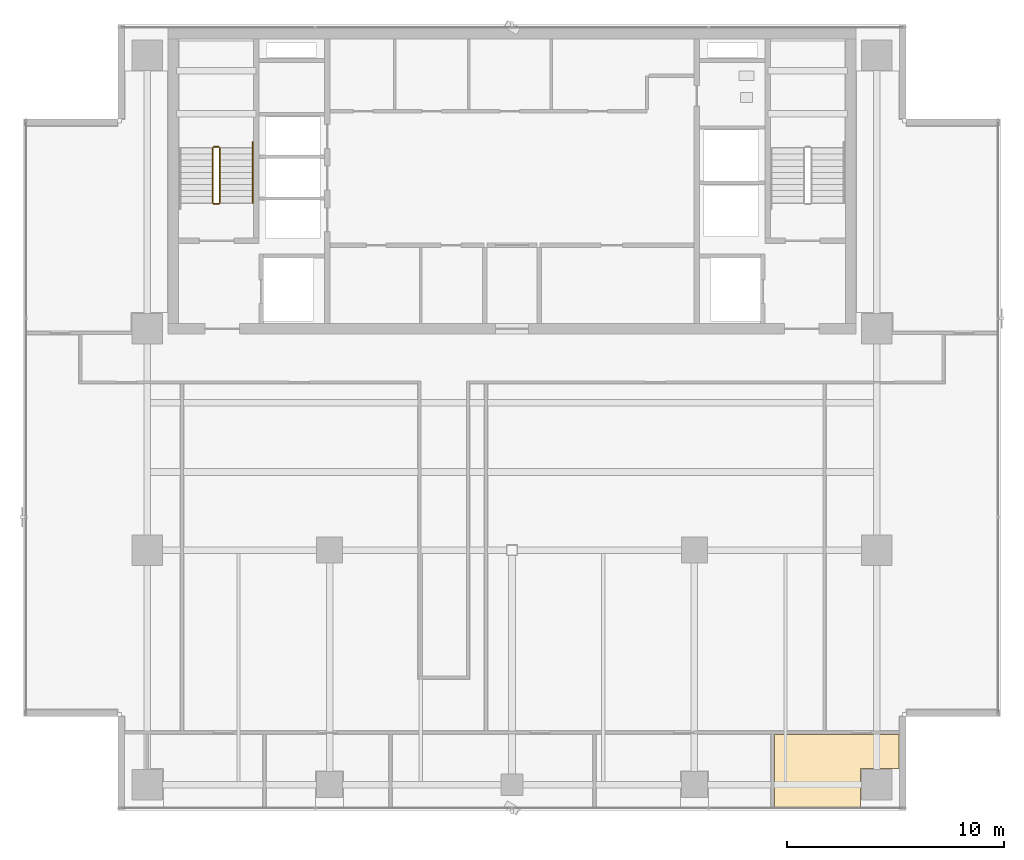
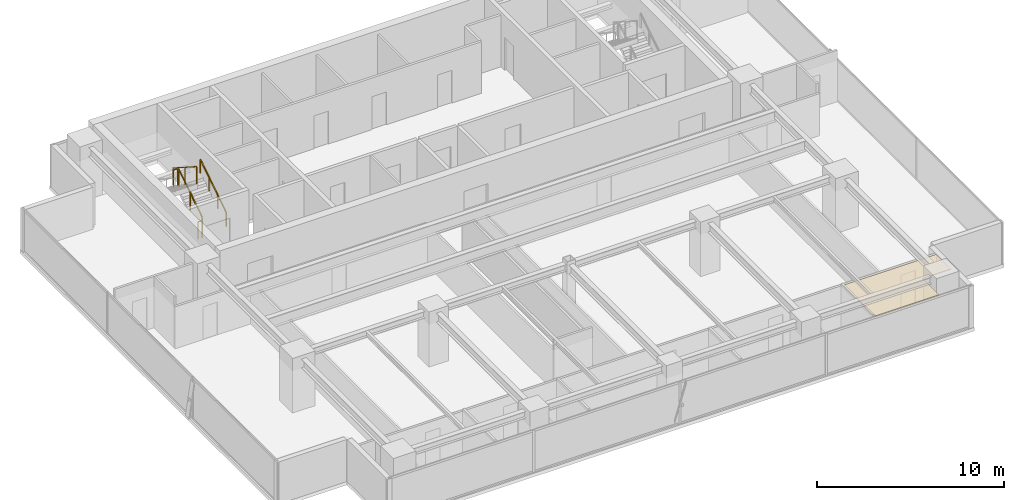
# One storey, part 23 of 25: 5 railings, 1 covering.
"""IFC4 building model written with IfcOpenShell, lengths in metres."""

from ifc_helpers import new_model, si_unit, direction, frame, origin, origin_2d, place, context, subcontext, project, spatial, polyline, rectangle, outline, extrude, material, layer, layer_set, type_object, element, save


model = new_model("IFC4")

# Units and contexts
model_context = context("Model", 3, precision=1e-05, world=origin(), true_north=direction((0.0, 1.0)))
body_context = subcontext(model_context, "Body", "Model", "MODEL_VIEW")
ifc_project = project(units=[si_unit("LENGTHUNIT", "METRE"), si_unit("AREAUNIT", "SQUARE_METRE"), si_unit("VOLUMEUNIT", "CUBIC_METRE"), si_unit("PLANEANGLEUNIT", "RADIAN"), si_unit("MASSUNIT", "GRAM", prefix="KILO")], contexts=[model_context])

# Site, building, storey
site_placement = place(None, origin())
site = spatial("IfcSite", under=ifc_project, at=site_placement, CompositionType="ELEMENT")
building_placement = place(site_placement, origin())
building = spatial("IfcBuilding", under=site, at=building_placement, Name="Sumidabori Civic Tower", CompositionType="ELEMENT")
storey_placement = place(building_placement, frame((0.0, 0.0, 239.60009765625)))
storey = spatial("IfcBuildingStorey", under=building, at=storey_placement, Name="L62", CompositionType="ELEMENT", Elevation=239.60009765625)

# Covering
ifc_material_1 = material(Name="Perforated Timber Acoustic Ceiling", Category="wood")
ifc_layer = layer(ifc_material_1, 0.044921875, Name="Perforated Timber Acoustic Ceiling")
ifc_layer_set = layer_set([ifc_layer], Name="Perforated Timber Acoustic Ceiling")
covering_type = type_object("IfcCoveringType", Name="CV-CEIL-AC2", PredefinedType="CEILING", material=ifc_layer_set)
covering_placement = place(storey_placement, frame((0.0, 0.0, 2.719970703125)))
element("IfcCovering", 1, at=covering_placement, inside=storey, type_object=covering_type, Name="Room Acoustic Ceiling L62-08", PredefinedType="CEILING", context=body_context, shape_type="SweptSolid", body=[
    extrude(outline(polyline([(17.822021484375, -8.487548828125), (17.822021484375, -10.06005859375), (16.06005859375, -10.06005859375), (16.06005859375, -11.830078125), (12.08740234375, -11.830078125), (12.08740234375, -8.487548828125), (17.822021484375, -8.487548828125)])), origin(), (0.0, 0.0, 1.0), 0.044921875),
])

# Railings
ifc_material_2 = material(Name="Stainless Steel Hairline Finish", Category="steel")
railing_type_1 = type_object("IfcRailingType", Name="RL-HANDRAIL", PredefinedType="HANDRAIL", material=ifc_material_2)
railing_1_placement = place(storey_placement, frame((-11.949951171875, 16.0, 0.179931640625)))
element("IfcRailing", 2, at=railing_1_placement, inside=storey, type_object=railing_type_1, Name="L62 ST-1 stair handrail 1", PredefinedType="HANDRAIL", context=body_context, shape_type="SweptSolid", body=[
    extrude(rectangle(XDim=0.048095703125, YDim=0.048095703125, at=origin_2d()), frame((0.0, 0.0, 0.8759765625), z_axis=(0.0, 0.840675598268, 0.541539046124), x_axis=(-1.0, 0.0, 0.0)), (0.0, 0.0, 1.0), 3.330810546875),
    extrude(rectangle(XDim=0.0419921875, YDim=0.0419921875, at=origin_2d()), origin(), (0.0, 0.0, 1.0), 0.851806640625),
    extrude(rectangle(XDim=0.0419921875, YDim=0.0419921875, at=origin_2d()), frame((0.0, 0.933349609375, 0.601318359375)), (0.0, 0.0, 1.0), 0.851806640625),
    extrude(rectangle(XDim=0.0419921875, YDim=0.0419921875, at=origin_2d()), frame((0.0, 1.86669921875, 1.202392578125)), (0.0, 0.0, 1.0), 0.851806640625),
    extrude(rectangle(XDim=0.0419921875, YDim=0.0419921875, at=origin_2d()), frame((0.0, 2.800048828125, 1.8037109375)), (0.0, 0.0, 1.0), 0.851806640625),
])
ifc_material_3 = material(Name="Steel SN490", Category="steel")
railing_type_2 = type_object("IfcRailingType", Name="RL-STAIR-GUARD", PredefinedType="GUARDRAIL", material=ifc_material_3)
railing_2_placement = place(storey_placement, frame((-13.449951171875, 16.0, 0.179931640625)))
element("IfcRailing", 3, at=railing_2_placement, inside=storey, type_object=railing_type_2, Name="L62 ST-1 stair guard 1", PredefinedType="GUARDRAIL", context=body_context, shape_type="SweptSolid", body=[
    extrude(rectangle(XDim=0.048095703125, YDim=0.048095703125, at=origin_2d()), frame((0.0, 0.0, 1.1259765625), z_axis=(0.0, 0.841199657755, 0.540724639528), x_axis=(-1.0, 0.0, 0.0)), (0.0, 0.0, 1.0), 2.995849609375),
    extrude(rectangle(XDim=0.0419921875, YDim=0.0419921875, at=origin_2d()), origin(), (0.0, 0.0, 1.0), 1.101806640625),
    extrude(rectangle(XDim=0.0419921875, YDim=0.0419921875, at=origin_2d()), frame((0.0, 1.260009765625, 0.81005859375)), (0.0, 0.0, 1.0), 1.101806640625),
    extrude(rectangle(XDim=0.0419921875, YDim=0.0419921875, at=origin_2d()), frame((0.0, 2.52001953125, 1.619873046875)), (0.0, 0.0, 1.0), 1.101806640625),
])
railing_3_placement = place(storey_placement, frame((-13.5, 18.570068359375, 1.7998046875)))
element("IfcRailing", 4, at=railing_3_placement, inside=storey, type_object=railing_type_2, Name="L62 ST-1 stair guard 2", PredefinedType="GUARDRAIL", context=body_context, shape_type="SweptSolid", body=[
    extrude(rectangle(XDim=0.048095703125, YDim=0.048095703125, at=origin_2d()), frame((0.0, 0.0, 1.1259765625), z_axis=(-1.0, 0.0, 0.0), x_axis=(0.0, -1.0, 0.0)), (0.0, 0.0, 1.0), 0.239990234375),
    extrude(rectangle(XDim=0.0419921875, YDim=0.0419921875, at=origin_2d()), origin(), (0.0, 0.0, 1.0), 1.101806640625),
    extrude(rectangle(XDim=0.0419921875, YDim=0.0419921875, at=origin_2d()), frame((-0.239990234375, 0.0, 0.0)), (0.0, 0.0, 1.0), 1.101806640625),
])
railing_4_placement = place(storey_placement, frame((-13.7900390625, 18.52001953125, 1.97998046875)))
element("IfcRailing", 5, at=railing_4_placement, inside=storey, type_object=railing_type_2, Name="L62 ST-1 stair guard 3", PredefinedType="GUARDRAIL", context=body_context, shape_type="SweptSolid", body=[
    extrude(rectangle(XDim=0.048095703125, YDim=0.048095703125, at=origin_2d()), frame((0.0, 0.0, 1.1259765625), z_axis=(0.0, -0.841199657755, 0.540724639528), x_axis=(1.0, 0.0, 0.0)), (0.0, 0.0, 1.0), 2.995849609375),
    extrude(rectangle(XDim=0.0419921875, YDim=0.0419921875, at=origin_2d()), origin(), (0.0, 0.0, 1.0), 1.101806640625),
    extrude(rectangle(XDim=0.0419921875, YDim=0.0419921875, at=origin_2d()), frame((0.0, -1.260009765625, 0.81005859375)), (0.0, 0.0, 1.0), 1.101806640625),
    extrude(rectangle(XDim=0.0419921875, YDim=0.0419921875, at=origin_2d()), frame((0.0, -2.52001953125, 1.619873046875)), (0.0, 0.0, 1.0), 1.101806640625),
])
railing_5_placement = place(storey_placement, frame((-13.5, 15.949951171875, 0.0)))
element("IfcRailing", 6, at=railing_5_placement, inside=storey, type_object=railing_type_2, Name="L62 ST-1 stair guard 4", PredefinedType="GUARDRAIL", context=body_context, shape_type="SweptSolid", body=[
    extrude(rectangle(XDim=0.048095703125, YDim=0.048095703125, at=origin_2d()), frame((0.0, 0.0, 1.1259765625), z_axis=(-1.0, 0.0, 0.0), x_axis=(0.0, -1.0, 0.0)), (0.0, 0.0, 1.0), 0.239990234375),
    extrude(rectangle(XDim=0.0419921875, YDim=0.0419921875, at=origin_2d()), origin(), (0.0, 0.0, 1.0), 1.101806640625),
    extrude(rectangle(XDim=0.0419921875, YDim=0.0419921875, at=origin_2d()), frame((-0.239990234375, 0.0, 0.0)), (0.0, 0.0, 1.0), 1.101806640625),
])

save(model, "model.ifc")
